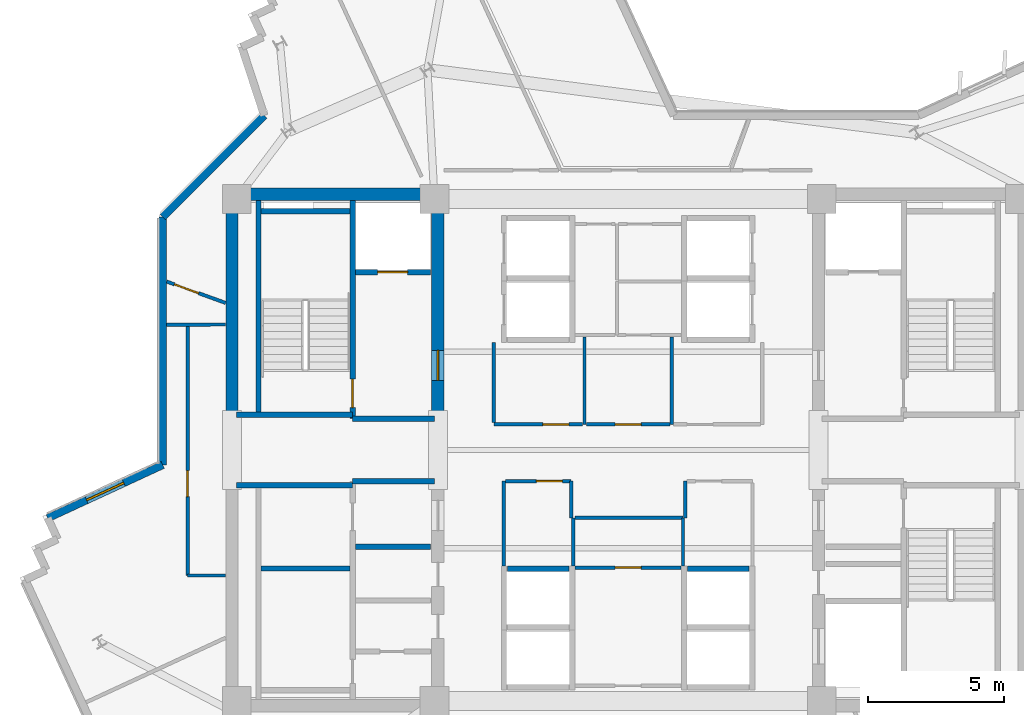
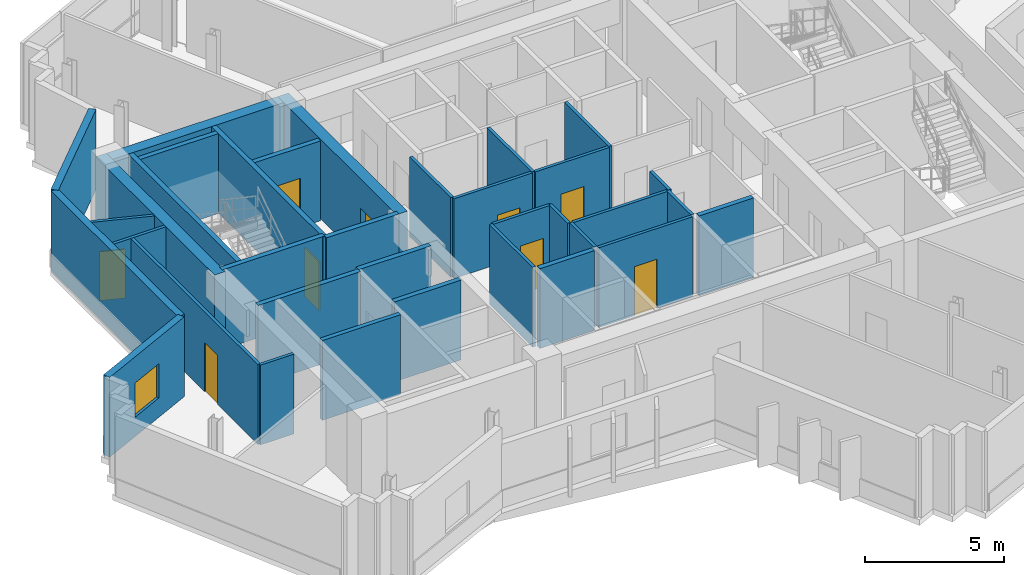
# One storey, part 6 of 12: 35 walls, 9 doors, 1 window, 10 openings.
"""IFC4 building model written with IfcOpenShell, lengths in metres."""

import ifcopenshell
import ifcopenshell.guid

model = None  # the IFC model being written
_history = None  # IfcOwnerHistory: only IFC2X3 demands one
_inside = {}  # id of a spatial element -> (the spatial element, [elements in it])
_under = {}  # id of a project, library or spatial element -> (it, [spatial elements below it])
_declared = {}  # id of a project -> (the project, [libraries it declares])
_typed = {}  # id of a type object -> (the type object, [elements of that type])
_made_of = {}  # id of a material, layer set ... -> (it, [elements and type objects made of it])


def new_model(schema):
    """Start an empty IFC model of exactly this schema.

    Asked for "IFC4X3", IfcOpenShell would pick the latest addendum, in which some entities
    have other attributes; the version numbers below select the first issue.
    IFC2X3 requires an IfcOwnerHistory on every rooted entity: one is made here for all.
    """
    global model, _history
    if schema == "IFC4X3":
        model = ifcopenshell.file(schema_version=(4, 3, 0, 0))
    else:
        model = ifcopenshell.file(schema=schema)
    _inside.clear()
    _under.clear()
    _declared.clear()
    _typed.clear()
    _made_of.clear()
    _history = None
    if model.schema == "IFC2X3":
        org = make("IfcOrganization", Name="unknown")
        user = make(
            "IfcPersonAndOrganization",
            ThePerson=make("IfcPerson", FamilyName="unknown"),
            TheOrganization=org,
        )
        app = make(
            "IfcApplication",
            ApplicationDeveloper=org,
            Version="unknown",
            ApplicationFullName="unknown",
            ApplicationIdentifier="unknown",
        )
        _history = make(
            "IfcOwnerHistory",
            OwningUser=user,
            OwningApplication=app,
            ChangeAction="ADDED",
            CreationDate=0,
        )
    return model


def make(cls, **values):
    """One entity of the class cls with the attributes given. An attribute that is None is left unset."""
    return model.create_entity(
        cls, **{name: value for name, value in values.items() if value is not None}
    )


def rooted(cls, **values):
    """An entity with a GlobalId (a new one), such as an element, a storey or a relation."""
    return make(cls, GlobalId=ifcopenshell.guid.new(), OwnerHistory=_history, **values)


def si_unit(unit_type, name, prefix=None):
    """IfcSIUnit, for example si_unit("LENGTHUNIT", "METRE", prefix="MILLI")."""
    return make("IfcSIUnit", UnitType=unit_type, Prefix=prefix, Name=name)


def assignment(units):
    """IfcUnitAssignment: the units of a project."""
    return None if units is None else make("IfcUnitAssignment", Units=units)


def point(xyz):
    """IfcCartesianPoint."""
    return None if xyz is None else make("IfcCartesianPoint", Coordinates=xyz)


def direction(xyz):
    """IfcDirection."""
    return None if xyz is None else make("IfcDirection", DirectionRatios=xyz)


def frame(location, z_axis=None, x_axis=None):
    """IfcAxis2Placement3D, a coordinate frame: its origin and axes. An axis left out is left unset."""
    return make(
        "IfcAxis2Placement3D",
        Location=point(location),
        Axis=direction(z_axis),
        RefDirection=direction(x_axis),
    )


def frame_2d(location, x_axis=None):
    """IfcAxis2Placement2D, a coordinate frame in the plane: its origin and x axis."""
    return make(
        "IfcAxis2Placement2D", Location=point(location), RefDirection=direction(x_axis)
    )


def origin():
    """The frame at (0, 0, 0) with its axes left unset."""
    return frame((0.0, 0.0, 0.0))


def place(relative_to, where):
    """IfcLocalPlacement: puts the frame where relative to a parent placement (None: the world)."""
    return make(
        "IfcLocalPlacement", PlacementRelTo=relative_to, RelativePlacement=where
    )


def context(
    kind, dimensions, precision=None, world=None, true_north=None, identifier=None
):
    """IfcGeometricRepresentationContext, for example the 3D "Model" context."""
    return make(
        "IfcGeometricRepresentationContext",
        ContextIdentifier=identifier,
        ContextType=kind,
        CoordinateSpaceDimension=dimensions,
        Precision=precision,
        WorldCoordinateSystem=world,
        TrueNorth=true_north,
    )


def subcontext(parent, identifier, kind, view, scale=None):
    """IfcGeometricRepresentationSubContext, for example "Body" below "Model"."""
    return make(
        "IfcGeometricRepresentationSubContext",
        ContextIdentifier=identifier,
        ContextType=kind,
        ParentContext=parent,
        TargetScale=scale,
        TargetView=view,
    )


def project(units=None, contexts=None):
    """IfcProject with its units and contexts."""
    return rooted(
        "IfcProject",
        Name="project",
        RepresentationContexts=contexts,
        UnitsInContext=assignment(units),
    )


def spatial(cls, under=None, at=None, **own):
    """A site, building, storey or space (cls), placed at a placement, below another one or the project."""
    s = rooted(cls, ObjectPlacement=at, **own)
    if under is not None:
        _under.setdefault(under.id(), (under, []))[1].append(s)
    return s


def profile(cls, at=None, kind="AREA", **sizes):
    """A parametric profile (cls). Its sizes go by their IFC names, for example OverallWidth=200.0."""
    return make(cls, ProfileType=kind, Position=at, **sizes)


def rectangle(**sizes):
    """IfcRectangleProfileDef."""
    return profile("IfcRectangleProfileDef", **sizes)


def extrude(swept, where, along, depth):
    """IfcExtrudedAreaSolid: the profile swept, set in the frame where, extruded along a direction by depth."""
    return make(
        "IfcExtrudedAreaSolid",
        SweptArea=swept,
        Position=where,
        ExtrudedDirection=direction(along),
        Depth=depth,
    )


def shape(context_of_items, identifier, shape_type, items):
    """IfcShapeRepresentation: the items that make up one representation, for example the "Body"."""
    return make(
        "IfcShapeRepresentation",
        ContextOfItems=context_of_items,
        RepresentationIdentifier=identifier,
        RepresentationType=shape_type,
        Items=items,
    )


def source(mapping_origin, context_of_items, identifier, shape_type, items):
    """IfcRepresentationMap: a shape defined once, which mapped items show again and again."""
    return make(
        "IfcRepresentationMap",
        MappingOrigin=mapping_origin,
        MappedRepresentation=shape(context_of_items, identifier, shape_type, items),
    )


def transform(
    local_origin,
    x_axis=None,
    y_axis=None,
    z_axis=None,
    scale=None,
    scale2=None,
    scale3=None,
    uniform=True,
):
    """IfcCartesianTransformationOperator3D, or its non-uniform kind. x_axis, y_axis, z_axis: its Axis1, 2, 3."""
    if uniform:
        return make(
            "IfcCartesianTransformationOperator3D",
            Axis1=direction(x_axis),
            Axis2=direction(y_axis),
            LocalOrigin=point(local_origin),
            Scale=scale,
            Axis3=direction(z_axis),
        )
    return make(
        "IfcCartesianTransformationOperator3DnonUniform",
        Axis1=direction(x_axis),
        Axis2=direction(y_axis),
        LocalOrigin=point(local_origin),
        Scale=scale,
        Axis3=direction(z_axis),
        Scale2=scale2,
        Scale3=scale3,
    )


def mapped(mapping_source, mapping_target):
    """IfcMappedItem: shows the shape of a source again, moved by a transform."""
    return make(
        "IfcMappedItem", MappingSource=mapping_source, MappingTarget=mapping_target
    )


def material(Name=None, Category=None):
    """IfcMaterial."""
    return make("IfcMaterial", Name=Name, Category=Category)


def layer(
    of_material, thickness, ventilated=None, Name=None, Category=None, Priority=None
):
    """IfcMaterialLayer: one layer of a wall or slab, of a material (None: an air gap)."""
    return make(
        "IfcMaterialLayer",
        Material=of_material,
        LayerThickness=thickness,
        IsVentilated=ventilated,
        Name=Name,
        Category=Category,
        Priority=Priority,
    )


def layer_set(layers, Name=None):
    """IfcMaterialLayerSet."""
    return make("IfcMaterialLayerSet", MaterialLayers=layers, LayerSetName=Name)


def made_of(thing, what):
    """Note that an element or type object is made of a material, layer set ...; save() writes the relation."""
    if what is not None:
        _made_of.setdefault(what.id(), (what, []))[1].append(thing)
    return thing


def type_object(cls, material=None, **own):
    """A type object (cls), such as IfcWallType, which elements share."""
    return made_of(rooted(cls, **own), material)


def element(
    cls,
    number,
    at=None,
    inside=None,
    cuts=None,
    type_object=None,
    material=None,
    context=None,
    identifier="Body",
    shape_type=None,
    held_by="IfcProductDefinitionShape",
    body=None,
    shapes=None,
    **own,
):
    """One element of the class cls, such as IfcWall. Its Tag is "e" and its number.

    at: its placement. inside: the storey or other place that contains it. cuts: it is an
    opening in that element (IfcRelVoidsElement). A single representation is given by context,
    identifier, shape_type and body (its items); several are given by shapes. held_by: the class
    of the entity that holds the representations. save() writes the other relations.
    """
    e = rooted(cls, Tag="e%d" % number, ObjectPlacement=at, **own)
    if body is not None:
        shapes = [shape(context, identifier, shape_type, body)]
    if shapes is not None:
        e.Representation = make(held_by, Representations=shapes)
    if inside is not None:
        _inside.setdefault(inside.id(), (inside, []))[1].append(e)
    if cuts is not None:
        rooted(
            "IfcRelVoidsElement", RelatingBuildingElement=cuts, RelatedOpeningElement=e
        )
    if type_object is not None:
        _typed.setdefault(type_object.id(), (type_object, []))[1].append(e)
    return made_of(e, material)


def fill(opening, filler):
    """IfcRelFillsElement: the door or window that sits in an opening."""
    return rooted(
        "IfcRelFillsElement",
        RelatingOpeningElement=opening,
        RelatedBuildingElement=filler,
    )


def aggregate(whole, parts):
    """IfcRelAggregates: a whole, such as a stair, and the parts it consists of."""
    return rooted("IfcRelAggregates", RelatingObject=whole, RelatedObjects=parts)


def save(model, path):
    """Write the relations noted so far, then the file.

    IfcRelAggregates (storeys below a building ...), IfcRelContainedInSpatialStructure (elements
    in a storey), IfcRelDefinesByType, IfcRelAssociatesMaterial and IfcRelDeclares: one each for
    every whole, place, type object, material and project.
    """
    for whole, parts in _under.values():
        aggregate(whole, parts)
    for where, things in _inside.values():
        rooted(
            "IfcRelContainedInSpatialStructure",
            RelatedElements=things,
            RelatingStructure=where,
        )
    for kind, things in _typed.values():
        rooted("IfcRelDefinesByType", RelatedObjects=things, RelatingType=kind)
    for what, things in _made_of.values():
        rooted("IfcRelAssociatesMaterial", RelatedObjects=things, RelatingMaterial=what)
    for by, libraries in _declared.values():
        rooted("IfcRelDeclares", RelatingContext=by, RelatedDefinitions=libraries)
    model.write(path)


model = new_model("IFC4")

# Units and contexts
model_context = context("Model", 3, precision=1e-05, world=origin(), true_north=direction((0.0, 1.0)))
body_context = subcontext(model_context, "Body", "Model", "MODEL_VIEW")
ifc_project = project(units=[si_unit("LENGTHUNIT", "METRE"), si_unit("AREAUNIT", "SQUARE_METRE"), si_unit("VOLUMEUNIT", "CUBIC_METRE"), si_unit("PLANEANGLEUNIT", "RADIAN"), si_unit("MASSUNIT", "GRAM", prefix="KILO")], contexts=[model_context])

# Site, building, storey
site_placement = place(None, origin())
site = spatial("IfcSite", under=ifc_project, at=site_placement, CompositionType="ELEMENT")
building_placement = place(site_placement, origin())
building = spatial("IfcBuilding", under=site, at=building_placement, Name="Zahravan Cultural Tower", CompositionType="ELEMENT")
storey_placement = place(building_placement, frame((0.0, 0.0, 239.10009765625)))
storey = spatial("IfcBuildingStorey", under=building, at=storey_placement, Name="L56", CompositionType="ELEMENT", Elevation=239.10009765625)

# Wall, opening, door
ifc_material_1 = material(Name="Concrete C50/60", Category="concrete")
ifc_layer_1 = layer(ifc_material_1, 0.449951171875)
ifc_layer_set_1 = layer_set([ifc_layer_1], Name="Concrete C50/60")
wall_type_1 = type_object("IfcWallType", Name="CW-SHEAR-450-C50", PredefinedType="SHEAR", material=ifc_layer_set_1)
wall_1_placement = place(storey_placement, frame((29.02490234375, 28.050048828125, 0.0), z_axis=(0.0, 0.0, 1.0), x_axis=(0.0, 1.0, 0.0)))
wall_1 = element("IfcWall", 1, at=wall_1_placement, inside=storey, type_object=wall_type_1, Name="L56 Core Shear Wall CW-W-EN-L56", PredefinedType="SHEAR", context=body_context, shape_type="SweptSolid", body=[
    extrude(rectangle(XDim=8.550048828125, YDim=0.449951171875, at=frame_2d((4.27490234375, 0.0))), origin(), (0.0, 0.0, 1.0), 3.5),
])
opening_1_placement = place(wall_1_placement, frame((1.5, 0.0, 0.0)))
opening_1 = element("IfcOpeningElement", 2, at=opening_1_placement, cuts=wall_1, Name="Opening D-L56-06", PredefinedType="OPENING", context=body_context, shape_type="SweptSolid", body=[
    extrude(rectangle(XDim=1.10009765625, YDim=2.199951171875, at=frame_2d((0.550048828125, 1.10009765625))), frame((0.0, 0.23486328125, 0.0), z_axis=(0.0, -1.0, 0.0), x_axis=(1.0, 0.0, 0.0)), (0.0, 0.0, 1.0), 0.469970703125),
])
ifc_material_2 = material(Name="Steel ASTM A572 Grade 50", Category="steel")
door_type_1 = type_object("IfcDoorType", Name="DR-LOBBY-1100", OperationType="NOTDEFINED", PredefinedType="DOOR", material=ifc_material_2)
shared_shape_1 = source(origin(), body_context, "Body", "SweptSolid", [
    extrude(rectangle(XDim=1.10009765625, YDim=2.199951171875, at=frame_2d((0.550048828125, 1.10009765625))), frame((0.0, 0.02490234375, 0.0), z_axis=(0.0, -1.0, 0.0), x_axis=(1.0, 0.0, 0.0)), (0.0, 0.0, 1.0), 0.050048828125),
])
door_1_placement = place(opening_1_placement, origin())
door_1 = element("IfcDoor", 3, at=door_1_placement, inside=storey, type_object=door_type_1, Name="L56 Door D-L56-06", OperationType="SINGLE_SWING_LEFT", OverallHeight=2.199951171875, OverallWidth=1.10009765625, PredefinedType="DOOR", context=body_context, shape_type="MappedRepresentation", body=[
    mapped(shared_shape_1, transform((0.0, 0.0, 0.0), x_axis=(1.0, 0.0, 0.0), y_axis=(0.0, 1.0, 0.0), z_axis=(0.0, 0.0, 1.0), scale=1.0)),
])
fill(opening_1, door_1)

# Wall, opening, window
ifc_material_3 = material(Name="Precast concrete C40/50", Category="concrete")
ifc_layer_2 = layer(ifc_material_3, 0.280029296875)
ifc_layer_set_2 = layer_set([ifc_layer_2], Name="Precast concrete C40/50")
wall_type_2 = type_object("IfcWallType", Name="EW-TC-280", PredefinedType="SOLIDWALL", material=ifc_layer_set_2)
wall_2_placement = place(storey_placement, frame((14.72412109375, 24.505615234375, 0.0), z_axis=(0.0, 0.0, 1.0), x_axis=(0.907756183213, 0.419498166669, 0.0)))
wall_2 = element("IfcWall", 4, at=wall_2_placement, inside=storey, type_object=wall_type_2, Name="L56 Exterior Masonry Frame Wall 35", PredefinedType="SOLIDWALL", context=body_context, shape_type="SweptSolid", body=[
    extrude(rectangle(XDim=4.644287109375, YDim=0.280029296875, at=frame_2d((2.322265625, 0.0))), origin(), (0.0, 0.0, 1.0), 3.5),
])
opening_2_placement = place(wall_2_placement, frame((1.572021484375, 0.0, 0.85009765625)))
opening_2 = element("IfcOpeningElement", 5, at=opening_2_placement, cuts=wall_2, Name="Opening WN-03", PredefinedType="OPENING", context=body_context, shape_type="SweptSolid", body=[
    extrude(rectangle(XDim=1.5, YDim=1.5, at=frame_2d((0.75, 0.75))), frame((0.0, 0.14990234375, 0.0), z_axis=(0.0, -1.0, 0.0), x_axis=(1.0, 0.0, 0.0)), (0.0, 0.0, 1.0), 0.300048828125),
])
ifc_material_4 = material(Name="Low-E solar-control double glazing", Category="glass")
window_type = type_object("IfcWindowType", Name="WN-REC-1500X1500", PartitioningType="SINGLE_PANEL", PredefinedType="WINDOW", material=ifc_material_4)
shared_shape_2 = source(origin(), body_context, "Body", "SweptSolid", [
    extrude(rectangle(XDim=1.5, YDim=1.5, at=frame_2d((0.75, 0.75))), frame((0.0, 0.030029296875, 0.0), z_axis=(0.0, -1.0, 0.0), x_axis=(1.0, 0.0, 0.0)), (0.0, 0.0, 1.0), 0.06005859375),
])
window_placement = place(opening_2_placement, origin())
window = element("IfcWindow", 6, at=window_placement, inside=storey, type_object=window_type, Name="L56 Recessed Solar Window 08", OverallHeight=1.5, OverallWidth=1.5, PartitioningType="SINGLE_PANEL", PredefinedType="WINDOW", context=body_context, shape_type="MappedRepresentation", body=[
    mapped(shared_shape_2, transform((0.0, 0.0, 0.0), x_axis=(1.0, 0.0, 0.0), y_axis=(0.0, 1.0, 0.0), z_axis=(0.0, 0.0, 1.0), scale=1.0)),
])
fill(opening_2, window)

# Wall, opening, door
ifc_material_5 = material(Name="Gypsum plasterboard partition")
ifc_layer_3 = layer(ifc_material_5, 0.125)
ifc_layer_set_3 = layer_set([ifc_layer_3], Name="Gypsum plasterboard partition")
wall_type_3 = type_object("IfcWallType", Name="W-PART-125", PredefinedType="PARTITIONING", material=ifc_layer_set_3)
wall_3_placement = place(storey_placement, frame((37.945068359375, 22.68994140625, 0.0), z_axis=(0.0, 0.0, 1.0), x_axis=(-1.0, 0.0, 0.0)))
wall_3 = element("IfcWall", 7, at=wall_3_placement, inside=storey, type_object=wall_type_3, Name="L56 Interior Wall 065", PredefinedType="PARTITIONING", context=body_context, shape_type="SweptSolid", body=[
    extrude(rectangle(XDim=3.89013671875, YDim=0.125, at=frame_2d((1.945068359375, 0.0))), origin(), (0.0, 0.0, 1.0), 3.5),
])
opening_3_placement = place(wall_3_placement, frame((1.469970703125, 0.0, 0.0)))
opening_3 = element("IfcOpeningElement", 8, at=opening_3_placement, cuts=wall_3, Name="Opening D-L56-30", PredefinedType="OPENING", context=body_context, shape_type="SweptSolid", body=[
    extrude(rectangle(XDim=0.949951171875, YDim=2.14990234375, at=frame_2d((0.47509765625, 1.074951171875))), frame((0.0, 0.072509765625, 0.0), z_axis=(0.0, -1.0, 0.0), x_axis=(1.0, 0.0, 0.0)), (0.0, 0.0, 1.0), 0.14501953125),
])
ifc_material_6 = material(Name="Anodised bronze-aluminium mullion", Category="aluminium")
door_type_2 = type_object("IfcDoorType", Name="DR-ROOM-950", OperationType="NOTDEFINED", PredefinedType="DOOR", material=ifc_material_6)
shared_shape_3 = source(origin(), body_context, "Body", "SweptSolid", [
    extrude(rectangle(XDim=0.949951171875, YDim=2.14990234375, at=frame_2d((0.47509765625, 1.074951171875))), frame((0.0, 0.02490234375, 0.0), z_axis=(0.0, -1.0, 0.0), x_axis=(1.0, 0.0, 0.0)), (0.0, 0.0, 1.0), 0.050048828125),
])
door_2_placement = place(opening_3_placement, origin())
door_2 = element("IfcDoor", 9, at=door_2_placement, inside=storey, type_object=door_type_2, Name="L56 Door D-L56-30", OperationType="SINGLE_SWING_LEFT", OverallHeight=2.14990234375, OverallWidth=0.949951171875, PredefinedType="DOOR", context=body_context, shape_type="MappedRepresentation", body=[
    mapped(shared_shape_3, transform((0.0, 0.0, 0.0), x_axis=(1.0, 0.0, 0.0), y_axis=(0.0, 1.0, 0.0), z_axis=(0.0, 0.0, 1.0), scale=1.0)),
])
fill(opening_3, door_2)

wall_4_placement = place(storey_placement, frame((31.507568359375, 25.860107421875, 0.0), z_axis=(0.0, 0.0, 1.0), x_axis=(1.0, 0.0, 0.0)))
wall_4 = element("IfcWall", 10, at=wall_4_placement, inside=storey, type_object=wall_type_3, Name="L56 Interior Wall 070", PredefinedType="PARTITIONING", context=body_context, shape_type="SweptSolid", body=[
    extrude(rectangle(XDim=2.40234375, YDim=0.125, at=frame_2d((1.201171875, 0.0))), origin(), (0.0, 0.0, 1.0), 3.5),
])
opening_4_placement = place(wall_4_placement, frame((1.1328125, 0.0, 0.0)))
opening_4 = element("IfcOpeningElement", 11, at=opening_4_placement, cuts=wall_4, Name="Opening D-L56-14", PredefinedType="OPENING", context=body_context, shape_type="SweptSolid", body=[
    extrude(rectangle(XDim=0.949951171875, YDim=2.14990234375, at=frame_2d((0.47509765625, 1.074951171875))), frame((0.0, 0.072509765625, 0.0), z_axis=(0.0, -1.0, 0.0), x_axis=(1.0, 0.0, 0.0)), (0.0, 0.0, 1.0), 0.14501953125),
])
door_3_placement = place(opening_4_placement, origin())
door_3 = element("IfcDoor", 12, at=door_3_placement, inside=storey, type_object=door_type_2, Name="L56 Door D-L56-14", OperationType="SINGLE_SWING_LEFT", OverallHeight=2.14990234375, OverallWidth=0.949951171875, PredefinedType="DOOR", context=body_context, shape_type="MappedRepresentation", body=[
    mapped(shared_shape_3, transform((0.0, 0.0, 0.0), x_axis=(1.0, 0.0, 0.0), y_axis=(0.0, 1.0, 0.0), z_axis=(0.0, 0.0, 1.0), scale=1.0)),
])
fill(opening_4, door_3)

wall_5_placement = place(storey_placement, frame((37.532470703125, 27.93994140625, 0.0), z_axis=(0.0, 0.0, 1.0), x_axis=(-1.0, 0.0, 0.0)))
wall_5 = element("IfcWall", 13, at=wall_5_placement, inside=storey, type_object=wall_type_3, Name="L56 Interior Wall 077", PredefinedType="PARTITIONING", context=body_context, shape_type="SweptSolid", body=[
    extrude(rectangle(XDim=3.06494140625, YDim=0.125, at=frame_2d((1.532470703125, 0.0))), origin(), (0.0, 0.0, 1.0), 3.5),
])
opening_5_placement = place(wall_5_placement, frame((1.0576171875, 0.0, 0.0)))
opening_5 = element("IfcOpeningElement", 14, at=opening_5_placement, cuts=wall_5, Name="Opening D-L56-19", PredefinedType="OPENING", context=body_context, shape_type="SweptSolid", body=[
    extrude(rectangle(XDim=0.949951171875, YDim=2.14990234375, at=frame_2d((0.47509765625, 1.074951171875))), frame((0.0, 0.072509765625, 0.0), z_axis=(0.0, -1.0, 0.0), x_axis=(1.0, 0.0, 0.0)), (0.0, 0.0, 1.0), 0.14501953125),
])
door_4_placement = place(opening_5_placement, origin())
door_4 = element("IfcDoor", 15, at=door_4_placement, inside=storey, type_object=door_type_2, Name="L56 Door D-L56-19", OperationType="SINGLE_SWING_RIGHT", OverallHeight=2.14990234375, OverallWidth=0.949951171875, PredefinedType="DOOR", context=body_context, shape_type="MappedRepresentation", body=[
    mapped(shared_shape_3, transform((0.0, 0.0, 0.0), x_axis=(1.0, 0.0, 0.0), y_axis=(0.0, 1.0, 0.0), z_axis=(0.0, 0.0, 1.0), scale=1.0)),
])
fill(opening_5, door_4)

wall_6_placement = place(storey_placement, frame((34.33251953125, 27.93994140625, 0.0), z_axis=(0.0, 0.0, 1.0), x_axis=(-1.0, 0.0, 0.0)))
wall_6 = element("IfcWall", 16, at=wall_6_placement, inside=storey, type_object=wall_type_3, Name="L56 Interior Wall 078", PredefinedType="PARTITIONING", context=body_context, shape_type="SweptSolid", body=[
    extrude(rectangle(XDim=3.25244140625, YDim=0.125, at=frame_2d((1.626220703125, 0.0))), origin(), (0.0, 0.0, 1.0), 3.5),
])
opening_6_placement = place(wall_6_placement, frame((0.506591796875, 0.0, 0.0)))
opening_6 = element("IfcOpeningElement", 17, at=opening_6_placement, cuts=wall_6, Name="Opening D-L56-18", PredefinedType="OPENING", context=body_context, shape_type="SweptSolid", body=[
    extrude(rectangle(XDim=0.949951171875, YDim=2.14990234375, at=frame_2d((0.47509765625, 1.074951171875))), frame((0.0, 0.072509765625, 0.0), z_axis=(0.0, -1.0, 0.0), x_axis=(1.0, 0.0, 0.0)), (0.0, 0.0, 1.0), 0.14501953125),
])
door_5_placement = place(opening_6_placement, origin())
door_5 = element("IfcDoor", 18, at=door_5_placement, inside=storey, type_object=door_type_2, Name="L56 Door D-L56-18", OperationType="SINGLE_SWING_LEFT", OverallHeight=2.14990234375, OverallWidth=0.949951171875, PredefinedType="DOOR", context=body_context, shape_type="MappedRepresentation", body=[
    mapped(shared_shape_3, transform((0.0, 0.0, 0.0), x_axis=(1.0, 0.0, 0.0), y_axis=(0.0, 1.0, 0.0), z_axis=(0.0, 0.0, 1.0), scale=1.0)),
])
fill(opening_6, door_5)

wall_7_placement = place(storey_placement, frame((21.2451171875, 32.39111328125, 0.0), z_axis=(0.0, 0.0, 1.0), x_axis=(-0.940115637779, 0.340855669755, 0.0)))
wall_7 = element("IfcWall", 19, at=wall_7_placement, inside=storey, type_object=wall_type_3, Name="L56 Interior Wall 106", PredefinedType="PARTITIONING", context=body_context, shape_type="SweptSolid", body=[
    extrude(rectangle(XDim=2.2978515625, YDim=0.125, at=frame_2d((1.14892578125, 0.0))), origin(), (0.0, 0.0, 1.0), 3.5),
])
opening_7_placement = place(wall_7_placement, frame((1.051025390625, 0.0, 0.0)))
opening_7 = element("IfcOpeningElement", 20, at=opening_7_placement, cuts=wall_7, Name="Opening D-L56-33", PredefinedType="OPENING", context=body_context, shape_type="SweptSolid", body=[
    extrude(rectangle(XDim=0.949951171875, YDim=2.14990234375, at=frame_2d((0.47509765625, 1.074951171875))), frame((0.0, 0.072509765625, 0.0), z_axis=(0.0, -1.0, 0.0), x_axis=(1.0, 0.0, 0.0)), (0.0, 0.0, 1.0), 0.14501953125),
])
door_6_placement = place(opening_7_placement, origin())
door_6 = element("IfcDoor", 21, at=door_6_placement, inside=storey, type_object=door_type_2, Name="L56 Door D-L56-33", OperationType="SINGLE_SWING_RIGHT", OverallHeight=2.14990234375, OverallWidth=0.949951171875, PredefinedType="DOOR", context=body_context, shape_type="MappedRepresentation", body=[
    mapped(shared_shape_3, transform((0.0, 0.0, 0.0), x_axis=(1.0, 0.0, 0.0), y_axis=(0.0, 1.0, 0.0), z_axis=(0.0, 0.0, 1.0), scale=1.0)),
])
fill(opening_7, door_6)

wall_8_placement = place(storey_placement, frame((19.85107421875, 31.59912109375, 0.0), z_axis=(0.0, 0.0, 1.0), x_axis=(-7.9685508e-05, -0.999999996825, 0.0)))
wall_8 = element("IfcWall", 22, at=wall_8_placement, inside=storey, type_object=wall_type_3, Name="L56 Interior Wall 110", PredefinedType="PARTITIONING", context=body_context, shape_type="SweptSolid", body=[
    extrude(rectangle(XDim=9.19140625, YDim=0.125, at=frame_2d((4.595703125, 0.0))), origin(), (0.0, 0.0, 1.0), 3.5),
])
opening_8_placement = place(wall_8_placement, frame((5.35693359375, 0.0, 0.0)))
opening_8 = element("IfcOpeningElement", 23, at=opening_8_placement, cuts=wall_8, Name="Opening D-L56-26", PredefinedType="OPENING", context=body_context, shape_type="SweptSolid", body=[
    extrude(rectangle(XDim=0.949951171875, YDim=2.14990234375, at=frame_2d((0.47509765625, 1.074951171875))), frame((0.0, 0.072509765625, 0.0), z_axis=(0.0, -1.0, 0.0), x_axis=(1.0, 0.0, 0.0)), (0.0, 0.0, 1.0), 0.14501953125),
])
door_7_placement = place(opening_8_placement, origin())
door_7 = element("IfcDoor", 24, at=door_7_placement, inside=storey, type_object=door_type_2, Name="L56 Door D-L56-26", OperationType="SINGLE_SWING_LEFT", OverallHeight=2.14990234375, OverallWidth=0.949951171875, PredefinedType="DOOR", context=body_context, shape_type="MappedRepresentation", body=[
    mapped(shared_shape_3, transform((0.0, 0.0, 0.0), x_axis=(1.0, 0.0, 0.0), y_axis=(0.0, 1.0, 0.0), z_axis=(0.0, 0.0, 1.0), scale=1.0)),
])
fill(opening_8, door_7)

ifc_material_7 = material(Name="Concrete C45/55", Category="concrete")
ifc_layer_4 = layer(ifc_material_7, 0.199951171875)
ifc_layer_set_4 = layer_set([ifc_layer_4], Name="Concrete C45/55")
wall_type_4 = type_object("IfcWallType", Name="W-SHAFT-200", PredefinedType="SOLIDWALL", material=ifc_layer_set_4)
wall_9_placement = place(storey_placement, frame((25.89990234375, 28.14990234375, 0.0), z_axis=(0.0, 0.0, 1.0), x_axis=(0.0, 1.0, 0.0)))
wall_9 = element("IfcWall", 25, at=wall_9_placement, inside=storey, type_object=wall_type_4, Name="L56 Interior Wall 006", PredefinedType="SOLIDWALL", context=body_context, shape_type="SweptSolid", body=[
    extrude(rectangle(XDim=8.0, YDim=0.199951171875, at=frame_2d((4.0, 0.0))), origin(), (0.0, 0.0, 1.0), 3.5),
])
opening_9_placement = place(wall_9_placement, frame((0.39990234375, 0.0, 0.0)))
opening_9 = element("IfcOpeningElement", 26, at=opening_9_placement, cuts=wall_9, Name="Opening D-L56-01", PredefinedType="OPENING", context=body_context, shape_type="SweptSolid", body=[
    extrude(rectangle(XDim=1.050048828125, YDim=2.14990234375, at=frame_2d((0.52490234375, 1.074951171875))), frame((0.0, 0.10986328125, 0.0), z_axis=(0.0, -1.0, 0.0), x_axis=(1.0, 0.0, 0.0)), (0.0, 0.0, 1.0), 0.219970703125),
])
door_type_3 = type_object("IfcDoorType", Name="DR-STAIR-1050", OperationType="NOTDEFINED", PredefinedType="DOOR", material=ifc_material_2)
shared_shape_4 = source(origin(), body_context, "Body", "SweptSolid", [
    extrude(rectangle(XDim=1.050048828125, YDim=2.14990234375, at=frame_2d((0.52490234375, 1.074951171875))), frame((0.0, 0.02490234375, 0.0), z_axis=(0.0, -1.0, 0.0), x_axis=(1.0, 0.0, 0.0)), (0.0, 0.0, 1.0), 0.050048828125),
])
door_8_placement = place(opening_9_placement, origin())
door_8 = element("IfcDoor", 27, at=door_8_placement, inside=storey, type_object=door_type_3, Name="L56 Door D-L56-01", OperationType="SINGLE_SWING_RIGHT", OverallHeight=2.14990234375, OverallWidth=1.050048828125, PredefinedType="DOOR", context=body_context, shape_type="MappedRepresentation", body=[
    mapped(shared_shape_4, transform((0.0, 0.0, 0.0), x_axis=(1.0, 0.0, 0.0), y_axis=(0.0, 1.0, 0.0), z_axis=(0.0, 0.0, 1.0), scale=1.0)),
])
fill(opening_9, door_8)

wall_10_placement = place(storey_placement, frame((26.0, 33.52001953125, 0.0), z_axis=(0.0, 0.0, 1.0), x_axis=(1.0, 0.0, 0.0)))
wall_10 = element("IfcWall", 28, at=wall_10_placement, inside=storey, type_object=wall_type_4, Name="L56 Interior Wall 022", PredefinedType="SOLIDWALL", context=body_context, shape_type="SweptSolid", body=[
    extrude(rectangle(XDim=2.75, YDim=0.199951171875, at=frame_2d((1.375, 0.0))), origin(), (0.0, 0.0, 1.0), 3.5),
])
opening_10_placement = place(wall_10_placement, frame((0.820068359375, 0.0, 0.0)))
opening_10 = element("IfcOpeningElement", 29, at=opening_10_placement, cuts=wall_10, Name="Opening LD-L56-01", PredefinedType="OPENING", context=body_context, shape_type="SweptSolid", body=[
    extrude(rectangle(XDim=1.10009765625, YDim=2.14990234375, at=frame_2d((0.550048828125, 1.074951171875))), frame((0.0, 0.10986328125, 0.0), z_axis=(0.0, -1.0, 0.0), x_axis=(1.0, 0.0, 0.0)), (0.0, 0.0, 1.0), 0.219970703125),
])
door_type_4 = type_object("IfcDoorType", Name="DR-LIFT-1100", OperationType="DOUBLE_DOOR_SLIDING", PredefinedType="DOOR", material=ifc_material_2)
shared_shape_5 = source(origin(), body_context, "Body", "SweptSolid", [
    extrude(rectangle(XDim=1.10009765625, YDim=2.14990234375, at=frame_2d((0.550048828125, 1.074951171875))), frame((0.0, 0.02490234375, 0.0), z_axis=(0.0, -1.0, 0.0), x_axis=(1.0, 0.0, 0.0)), (0.0, 0.0, 1.0), 0.050048828125),
])
door_9_placement = place(opening_10_placement, origin())
door_9 = element("IfcDoor", 30, at=door_9_placement, inside=storey, type_object=door_type_4, Name="L56 Door LD-L56-01", OperationType="DOUBLE_DOOR_SLIDING", OverallHeight=2.14990234375, OverallWidth=1.10009765625, PredefinedType="DOOR", context=body_context, shape_type="MappedRepresentation", body=[
    mapped(shared_shape_5, transform((0.0, 0.0, 0.0), x_axis=(1.0, 0.0, 0.0), y_axis=(0.0, 1.0, 0.0), z_axis=(0.0, 0.0, 1.0), scale=1.0)),
])
fill(opening_10, door_9)

# Walls
shared_shape_6 = source(origin(), body_context, "Body", "SweptSolid", [
    extrude(rectangle(XDim=8.550048828125, YDim=0.449951171875, at=frame_2d((4.27490234375, 0.0))), origin(), (0.0, 0.0, 1.0), 3.5),
])
wall_11_placement = place(storey_placement, frame((21.47509765625, 28.050048828125, 0.0), z_axis=(0.0, 0.0, 1.0), x_axis=(0.0, 1.0, 0.0)))
element("IfcWall", 31, at=wall_11_placement, inside=storey, type_object=wall_type_1, Name="L56 Core Shear Wall CW-W-WN-L56", PredefinedType="SHEAR", context=body_context, shape_type="MappedRepresentation", body=[
    mapped(shared_shape_6, transform((0.0, 0.0, 0.0), x_axis=(1.0, 0.0, 0.0), y_axis=(0.0, 1.0, 0.0), z_axis=(0.0, 0.0, 1.0), scale=1.0)),
])
shared_shape_7 = source(origin(), body_context, "Body", "SweptSolid", [
    extrude(rectangle(XDim=7.10009765625, YDim=0.449951171875, at=frame_2d((3.550048828125, 0.0))), origin(), (0.0, 0.0, 1.0), 3.5),
])
wall_12_placement = place(storey_placement, frame((21.699951171875, 36.375, 0.0), z_axis=(0.0, 0.0, 1.0), x_axis=(1.0, 0.0, 0.0)))
element("IfcWall", 32, at=wall_12_placement, inside=storey, type_object=wall_type_1, Name="L56 Core Shear Wall CW-W-N-L56", PredefinedType="SHEAR", context=body_context, shape_type="MappedRepresentation", body=[
    mapped(shared_shape_7, transform((0.0, 0.0, 0.0), x_axis=(1.0, 0.0, 0.0), y_axis=(0.0, 1.0, 0.0), z_axis=(0.0, 0.0, 1.0), scale=1.0)),
])
shared_shape_8 = source(origin(), body_context, "Body", "SweptSolid", [
    extrude(rectangle(XDim=9.088134765625, YDim=0.280029296875, at=frame_2d((4.5439453125, 0.0))), origin(), (0.0, 0.0, 1.0), 3.5),
])
wall_13_placement = place(storey_placement, frame((18.93994140625, 26.453857421875, 0.0), z_axis=(0.0, 0.0, 1.0), x_axis=(0.0, 1.0, 0.0)))
element("IfcWall", 33, at=wall_13_placement, inside=storey, type_object=wall_type_2, Name="L56 Exterior Masonry Frame Wall 36", PredefinedType="SOLIDWALL", context=body_context, shape_type="MappedRepresentation", body=[
    mapped(shared_shape_8, transform((0.0, 0.0, 0.0), x_axis=(1.0, 0.0, 0.0), y_axis=(0.0, 1.0, 0.0), z_axis=(0.0, 0.0, 1.0), scale=1.0)),
])
shared_shape_9 = source(origin(), body_context, "Body", "SweptSolid", [
    extrude(rectangle(XDim=5.258056640625, YDim=0.280029296875, at=frame_2d((2.62890625, 0.0))), origin(), (0.0, 0.0, 1.0), 3.5),
])
wall_14_placement = place(storey_placement, frame((18.93994140625, 35.5419921875, 0.0), z_axis=(0.0, 0.0, 1.0), x_axis=(0.707106781187, 0.707106781187, 0.0)))
element("IfcWall", 34, at=wall_14_placement, inside=storey, type_object=wall_type_2, Name="L56 Exterior Masonry Frame Wall 37", PredefinedType="SOLIDWALL", context=body_context, shape_type="MappedRepresentation", body=[
    mapped(shared_shape_9, transform((0.0, 0.0, 0.0), x_axis=(1.0, 0.0, 0.0), y_axis=(0.0, 1.0, 0.0), z_axis=(0.0, 0.0, 1.0), scale=1.0)),
])
shared_shape_10 = source(origin(), body_context, "Body", "SweptSolid", [
    extrude(rectangle(XDim=7.869873046875, YDim=0.199951171875, at=frame_2d((3.93505859375, 0.0))), origin(), (0.0, 0.0, 1.0), 3.5),
])
wall_15_placement = place(storey_placement, frame((22.449951171875, 28.280029296875, 0.0), z_axis=(0.0, 0.0, 1.0), x_axis=(0.0, 1.0, 0.0)))
element("IfcWall", 35, at=wall_15_placement, inside=storey, type_object=wall_type_4, Name="L56 Interior Wall 002", PredefinedType="SOLIDWALL", context=body_context, shape_type="MappedRepresentation", body=[
    mapped(shared_shape_10, transform((0.0, 0.0, 0.0), x_axis=(1.0, 0.0, 0.0), y_axis=(0.0, 1.0, 0.0), z_axis=(0.0, 0.0, 1.0), scale=1.0)),
])
shared_shape_11 = source(origin(), body_context, "Body", "SweptSolid", [
    extrude(rectangle(XDim=4.25, YDim=0.199951171875, at=frame_2d((2.125, 0.0))), origin(), (0.0, 0.0, 1.0), 3.5),
])
for number, where, z_axis, x_axis, name in (
    (36, (21.64990234375, 25.715087890625, 0.0), (0.0, 0.0, 1.0), (1.0, 0.0, 0.0), "L56 Interior Wall 009"),
    (37, (21.64990234375, 28.284912109375, 0.0), (0.0, 0.0, 1.0), (1.0, 0.0, 0.0), "L56 Interior Wall 011"),
):
    element("IfcWall", number, at=place(storey_placement, frame(where, z_axis=z_axis, x_axis=x_axis)), inside=storey, type_object=wall_type_4, Name=name, PredefinedType="SOLIDWALL", context=body_context, shape_type="MappedRepresentation", body=[
        mapped(shared_shape_11, transform((0.0, 0.0, 0.0), x_axis=(1.0, 0.0, 0.0), y_axis=(0.0, 1.0, 0.0), z_axis=(0.0, 0.0, 1.0), scale=1.0)),
    ])
shared_shape_12 = source(origin(), body_context, "Body", "SweptSolid", [
    extrude(rectangle(XDim=3.0, YDim=0.199951171875, at=frame_2d((1.5, 0.0))), origin(), (0.0, 0.0, 1.0), 3.5),
])
for number, where, z_axis, x_axis, name in (
    (38, (25.89990234375, 25.85009765625, 0.0), (0.0, 0.0, 1.0), (1.0, 0.0, 0.0), "L56 Interior Wall 010"),
    (39, (25.89990234375, 28.14990234375, 0.0), (0.0, 0.0, 1.0), (1.0, 0.0, 0.0), "L56 Interior Wall 012"),
):
    element("IfcWall", number, at=place(storey_placement, frame(where, z_axis=z_axis, x_axis=x_axis)), inside=storey, type_object=wall_type_4, Name=name, PredefinedType="SOLIDWALL", context=body_context, shape_type="MappedRepresentation", body=[
        mapped(shared_shape_12, transform((0.0, 0.0, 0.0), x_axis=(1.0, 0.0, 0.0), y_axis=(0.0, 1.0, 0.0), z_axis=(0.0, 0.0, 1.0), scale=1.0)),
    ])
shared_shape_13 = source(origin(), body_context, "Body", "SweptSolid", [
    extrude(rectangle(XDim=3.25, YDim=0.199951171875, at=frame_2d((1.625, 0.0))), origin(), (0.0, 0.0, 1.0), 3.5),
])
wall_16_placement = place(storey_placement, frame((22.550048828125, 35.75, 0.0), z_axis=(0.0, 0.0, 1.0), x_axis=(1.0, 0.0, 0.0)))
element("IfcWall", 40, at=wall_16_placement, inside=storey, type_object=wall_type_4, Name="L56 Interior Wall 017", PredefinedType="SOLIDWALL", context=body_context, shape_type="MappedRepresentation", body=[
    mapped(shared_shape_13, transform((0.0, 0.0, 0.0), x_axis=(1.0, 0.0, 0.0), y_axis=(0.0, 1.0, 0.0), z_axis=(0.0, 0.0, 1.0), scale=1.0)),
])
ifc_layer_5 = layer(ifc_material_5, 0.179931640625)
ifc_layer_set_5 = layer_set([ifc_layer_5], Name="Gypsum plasterboard partition")
wall_type_5 = type_object("IfcWallType", Name="W-COMP-180", PredefinedType="PARTITIONING", material=ifc_layer_set_5)
shared_shape_14 = source(origin(), body_context, "Body", "SweptSolid", [
    extrude(rectangle(XDim=3.25, YDim=0.179931640625, at=frame_2d((1.625, 0.0))), origin(), (0.0, 0.0, 1.0), 3.5),
])
wall_17_placement = place(storey_placement, frame((22.550048828125, 22.64990234375, 0.0), z_axis=(0.0, 0.0, 1.0), x_axis=(1.0, 0.0, 0.0)))
element("IfcWall", 41, at=wall_17_placement, inside=storey, type_object=wall_type_5, Name="L56 Interior Wall 021", PredefinedType="PARTITIONING", context=body_context, shape_type="MappedRepresentation", body=[
    mapped(shared_shape_14, transform((0.0, 0.0, 0.0), x_axis=(1.0, 0.0, 0.0), y_axis=(0.0, 1.0, 0.0), z_axis=(0.0, 0.0, 1.0), scale=1.0)),
])
shared_shape_15 = source(origin(), body_context, "Body", "SweptSolid", [
    extrude(rectangle(XDim=2.75, YDim=0.199951171875, at=frame_2d((1.375, 0.0))), origin(), (0.0, 0.0, 1.0), 3.5),
])
wall_18_placement = place(storey_placement, frame((26.0, 23.449951171875, 0.0), z_axis=(0.0, 0.0, 1.0), x_axis=(1.0, 0.0, 0.0)))
element("IfcWall", 42, at=wall_18_placement, inside=storey, type_object=wall_type_4, Name="L56 Interior Wall 024", PredefinedType="SOLIDWALL", context=body_context, shape_type="MappedRepresentation", body=[
    mapped(shared_shape_15, transform((0.0, 0.0, 0.0), x_axis=(1.0, 0.0, 0.0), y_axis=(0.0, 1.0, 0.0), z_axis=(0.0, 0.0, 1.0), scale=1.0)),
])
shared_shape_16 = source(origin(), body_context, "Body", "SweptSolid", [
    extrude(rectangle(XDim=2.260009765625, YDim=0.199951171875, at=frame_2d((1.1298828125, 0.0))), origin(), (0.0, 0.0, 1.0), 3.5),
])
for number, where, z_axis, x_axis, name in (
    (43, (31.570068359375, 22.64990234375, 0.0), (0.0, 0.0, 1.0), (1.0, 0.0, 0.0), "L56 Interior Wall 047"),
    (44, (38.169921875, 22.64990234375, 0.0), (0.0, 0.0, 1.0), (1.0, 0.0, 0.0), "L56 Interior Wall 054"),
):
    element("IfcWall", number, at=place(storey_placement, frame(where, z_axis=z_axis, x_axis=x_axis)), inside=storey, type_object=wall_type_4, Name=name, PredefinedType="SOLIDWALL", context=body_context, shape_type="MappedRepresentation", body=[
        mapped(shared_shape_16, transform((0.0, 0.0, 0.0), x_axis=(1.0, 0.0, 0.0), y_axis=(0.0, 1.0, 0.0), z_axis=(0.0, 0.0, 1.0), scale=1.0)),
    ])
shared_shape_17 = source(origin(), body_context, "Body", "SweptSolid", [
    extrude(rectangle(XDim=1.760009765625, YDim=0.125, at=frame_2d((0.8798828125, 0.0))), origin(), (0.0, 0.0, 1.0), 3.5),
])
for number, where, z_axis, x_axis, name in (
    (45, (33.989990234375, 22.75, 0.0), (0.0, 0.0, 1.0), (0.0, 1.0, 0.0), "L56 Interior Wall 066"),
    (46, (38.010009765625, 24.510009765625, 0.0), (0.0, 0.0, 1.0), (0.0, -1.0, 0.0), "L56 Interior Wall 068"),
):
    element("IfcWall", number, at=place(storey_placement, frame(where, z_axis=z_axis, x_axis=x_axis)), inside=storey, type_object=wall_type_3, Name=name, PredefinedType="PARTITIONING", context=body_context, shape_type="MappedRepresentation", body=[
        mapped(shared_shape_17, transform((0.0, 0.0, 0.0), x_axis=(1.0, 0.0, 0.0), y_axis=(0.0, 1.0, 0.0), z_axis=(0.0, 0.0, 1.0), scale=1.0)),
    ])
shared_shape_18 = source(origin(), body_context, "Body", "SweptSolid", [
    extrude(rectangle(XDim=3.952392578125, YDim=0.125, at=frame_2d((1.97607421875, 0.0))), origin(), (0.0, 0.0, 1.0), 3.5),
])
wall_19_placement = place(storey_placement, frame((34.0576171875, 24.510009765625, 0.0), z_axis=(0.0, 0.0, 1.0), x_axis=(1.0, 0.0, 0.0)))
element("IfcWall", 47, at=wall_19_placement, inside=storey, type_object=wall_type_3, Name="L56 Interior Wall 067", PredefinedType="PARTITIONING", context=body_context, shape_type="MappedRepresentation", body=[
    mapped(shared_shape_18, transform((0.0, 0.0, 0.0), x_axis=(1.0, 0.0, 0.0), y_axis=(0.0, 1.0, 0.0), z_axis=(0.0, 0.0, 1.0), scale=1.0)),
])
shared_shape_19 = source(origin(), body_context, "Body", "SweptSolid", [
    extrude(rectangle(XDim=3.110107421875, YDim=0.125, at=frame_2d((1.55517578125, 0.0))), origin(), (0.0, 0.0, 1.0), 3.5),
])
wall_20_placement = place(storey_placement, frame((31.43994140625, 22.75, 0.0), z_axis=(0.0, 0.0, 1.0), x_axis=(0.0, 1.0, 0.0)))
element("IfcWall", 48, at=wall_20_placement, inside=storey, type_object=wall_type_3, Name="L56 Interior Wall 069", PredefinedType="PARTITIONING", context=body_context, shape_type="MappedRepresentation", body=[
    mapped(shared_shape_19, transform((0.0, 0.0, 0.0), x_axis=(1.0, 0.0, 0.0), y_axis=(0.0, 1.0, 0.0), z_axis=(0.0, 0.0, 1.0), scale=1.0)),
])
shared_shape_20 = source(origin(), body_context, "Body", "SweptSolid", [
    extrude(rectangle(XDim=1.35009765625, YDim=0.125, at=frame_2d((0.675048828125, 0.0))), origin(), (0.0, 0.0, 1.0), 3.5),
])
for number, where, z_axis, x_axis, name in (
    (49, (33.909912109375, 25.860107421875, 0.0), (0.0, 0.0, 1.0), (0.0, -1.0, 0.0), "L56 Interior Wall 071"),
    (50, (38.090087890625, 24.510009765625, 0.0), (0.0, 0.0, 1.0), (0.0, 1.0, 0.0), "L56 Interior Wall 072"),
):
    element("IfcWall", number, at=place(storey_placement, frame(where, z_axis=z_axis, x_axis=x_axis)), inside=storey, type_object=wall_type_3, Name=name, PredefinedType="PARTITIONING", context=body_context, shape_type="MappedRepresentation", body=[
        mapped(shared_shape_20, transform((0.0, 0.0, 0.0), x_axis=(1.0, 0.0, 0.0), y_axis=(0.0, 1.0, 0.0), z_axis=(0.0, 0.0, 1.0), scale=1.0)),
    ])
shared_shape_21 = source(origin(), body_context, "Body", "SweptSolid", [
    extrude(rectangle(XDim=3.199951171875, YDim=0.125, at=frame_2d((1.60009765625, 0.0))), origin(), (0.0, 0.0, 1.0), 3.5),
])
for number, where, z_axis, x_axis, name in (
    (51, (34.39990234375, 27.93994140625, 0.0), (0.0, 0.0, 1.0), (0.0, 1.0, 0.0), "L56 Interior Wall 075"),
    (52, (37.60009765625, 31.139892578125, 0.0), (0.0, 0.0, 1.0), (0.0, -1.0, 0.0), "L56 Interior Wall 076"),
):
    element("IfcWall", number, at=place(storey_placement, frame(where, z_axis=z_axis, x_axis=x_axis)), inside=storey, type_object=wall_type_3, Name=name, PredefinedType="PARTITIONING", context=body_context, shape_type="MappedRepresentation", body=[
        mapped(shared_shape_21, transform((0.0, 0.0, 0.0), x_axis=(1.0, 0.0, 0.0), y_axis=(0.0, 1.0, 0.0), z_axis=(0.0, 0.0, 1.0), scale=1.0)),
    ])
shared_shape_22 = source(origin(), body_context, "Body", "SweptSolid", [
    extrude(rectangle(XDim=2.9423828125, YDim=0.125, at=frame_2d((1.47119140625, 0.0))), origin(), (0.0, 0.0, 1.0), 3.5),
])
wall_21_placement = place(storey_placement, frame((31.080078125, 28.007568359375, 0.0), z_axis=(0.0, 0.0, 1.0), x_axis=(0.0, 1.0, 0.0)))
element("IfcWall", 53, at=wall_21_placement, inside=storey, type_object=wall_type_3, Name="L56 Interior Wall 079", PredefinedType="PARTITIONING", context=body_context, shape_type="MappedRepresentation", body=[
    mapped(shared_shape_22, transform((0.0, 0.0, 0.0), x_axis=(1.0, 0.0, 0.0), y_axis=(0.0, 1.0, 0.0), z_axis=(0.0, 0.0, 1.0), scale=1.0)),
])
shared_shape_23 = source(origin(), body_context, "Body", "SweptSolid", [
    extrude(rectangle(XDim=1.38916015625, YDim=0.125, at=frame_2d((0.694580078125, 0.0))), origin(), (0.0, 0.0, 1.0), 3.5),
])
wall_22_placement = place(storey_placement, frame((19.85595703125, 22.39990234375, 0.0), z_axis=(0.0, 0.0, 1.0), x_axis=(1.0, 0.0, 0.0)))
element("IfcWall", 54, at=wall_22_placement, inside=storey, type_object=wall_type_3, Name="L56 Interior Wall 111", PredefinedType="PARTITIONING", context=body_context, shape_type="MappedRepresentation", body=[
    mapped(shared_shape_23, transform((0.0, 0.0, 0.0), x_axis=(1.0, 0.0, 0.0), y_axis=(0.0, 1.0, 0.0), z_axis=(0.0, 0.0, 1.0), scale=1.0)),
])
shared_shape_24 = source(origin(), body_context, "Body", "SweptSolid", [
    extrude(rectangle(XDim=2.1650390625, YDim=0.125, at=frame_2d((1.08251953125, 0.0))), origin(), (0.0, 0.0, 1.0), 3.5),
])
wall_23_placement = place(storey_placement, frame((21.2451171875, 31.60009765625, 0.0), z_axis=(0.0, 0.0, 1.0), x_axis=(-0.999999688459, -0.000789354738, 0.0)))
element("IfcWall", 55, at=wall_23_placement, inside=storey, type_object=wall_type_3, Name="L56 Interior Wall 113", PredefinedType="PARTITIONING", context=body_context, shape_type="MappedRepresentation", body=[
    mapped(shared_shape_24, transform((0.0, 0.0, 0.0), x_axis=(1.0, 0.0, 0.0), y_axis=(0.0, 1.0, 0.0), z_axis=(0.0, 0.0, 1.0), scale=1.0)),
])

save(model, "model.ifc")
